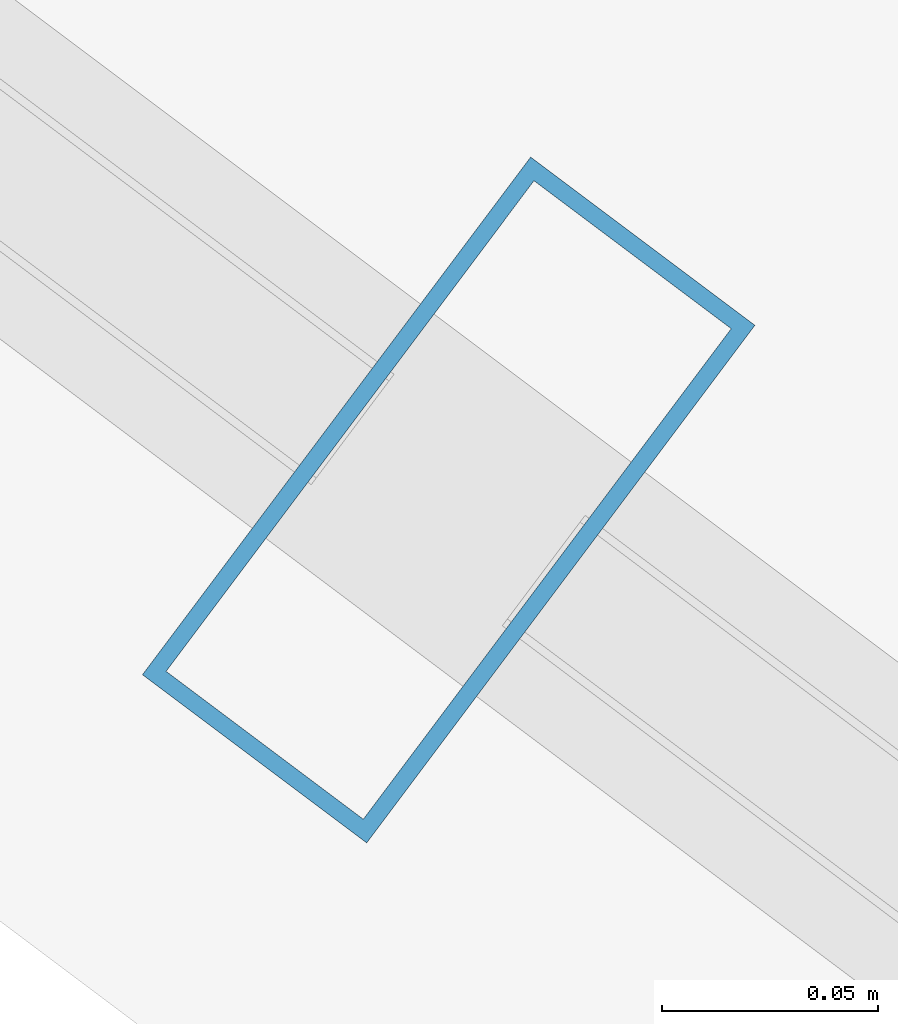
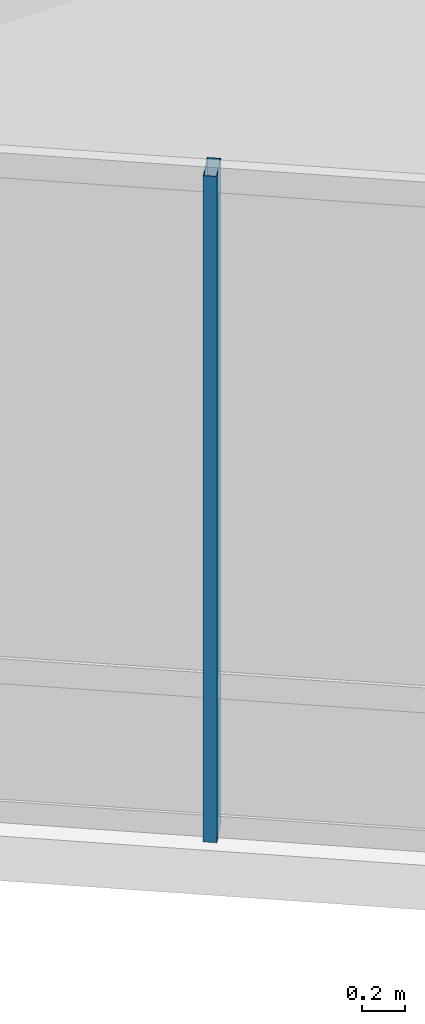
# One storey, part 2 of 31: 1 member, 1 element without a shape of its own.
"""IFC4 building model written with IfcOpenShell, lengths in metres."""

from ifc_helpers import new_model, si_unit, direction, frame, origin, origin_2d, place, context, subcontext, project, spatial, hollow_rectangle, extrude, material, layer, layer_set, material_profile, profile_set, type_object, element, aggregate, save


model = new_model("IFC4")

# Units and contexts
model_context = context("Model", 3, precision=1e-05, world=origin(), true_north=direction((0.0, 1.0)))
body_context = subcontext(model_context, "Body", "Model", "MODEL_VIEW")
ifc_project = project(units=[si_unit("LENGTHUNIT", "METRE"), si_unit("AREAUNIT", "SQUARE_METRE"), si_unit("VOLUMEUNIT", "CUBIC_METRE"), si_unit("PLANEANGLEUNIT", "RADIAN"), si_unit("MASSUNIT", "GRAM", prefix="KILO")], contexts=[model_context])

# Site, building, storey
site_placement = place(None, origin())
site = spatial("IfcSite", under=ifc_project, at=site_placement, CompositionType="ELEMENT")
building_placement = place(site_placement, origin())
building = spatial("IfcBuilding", under=site, at=building_placement, Name="Hatsunagi Terrace Concourse", CompositionType="ELEMENT")
storey_placement = place(building_placement, frame((0.0, 0.0, 269.949951171875)))
storey = spatial("IfcBuildingStorey", under=building, at=storey_placement, Name="L71", CompositionType="ELEMENT", Elevation=269.949951171875)

# Curtain wall, member
ifc_material_1 = material(Name="Anodised Aluminium Alloy 6063-T5", Category="aluminium")
ifc_layer = layer(ifc_material_1, 0.199951171875)
ifc_layer_set = layer_set([ifc_layer], Name="CrownWintergarden_CW06")
curtain_wall_type = type_object("IfcCurtainWallType", Name="CrownWintergarden_CW06", PredefinedType="NOTDEFINED", material=ifc_layer_set)
curtain_wall_placement = place(storey_placement, origin())
curtain_wall = element("IfcCurtainWall", 1, at=curtain_wall_placement, inside=storey, type_object=curtain_wall_type, Name="Unitised Curtain Wall CW-06 CW-L71-05", PredefinedType="NOTDEFINED")
ifc_material_2 = material(Name="Anodised Aluminium Alloy 6063-T5", Category="aluminium")
ifc_material_profile = material_profile(ifc_material_2, hollow_rectangle(XDim=0.06494140625, YDim=0.14990234375, WallThickness=0.00390625, at=origin_2d()), Name="ALU-MUL-150x65x4")
ifc_profile_set = profile_set([ifc_material_profile], Name="Anodised Aluminium Alloy 6063-T5")
member_type = type_object("IfcMemberType", Name="CurtainWallMullion_Crown_150x65", PredefinedType="MULLION", material=ifc_profile_set)
member_placement = place(storey_placement, frame((28.81005859375, 20.867919921875, 0.0), z_axis=(0.0, 0.0, 1.0), x_axis=(-0.800007305671, 0.599990258982, 0.0)))
member = element("IfcMember", 2, at=member_placement, type_object=member_type, Name="Curtain Wall Mullion MUL-03", PredefinedType="MULLION", context=body_context, shape_type="SweptSolid", body=[
    extrude(hollow_rectangle(XDim=0.06494140625, YDim=0.14990234375, WallThickness=0.00390625, at=origin_2d()), origin(), (0.0, 0.0, 1.0), 3.739990234375),
])
aggregate(curtain_wall, [member])

save(model, "model.ifc")
